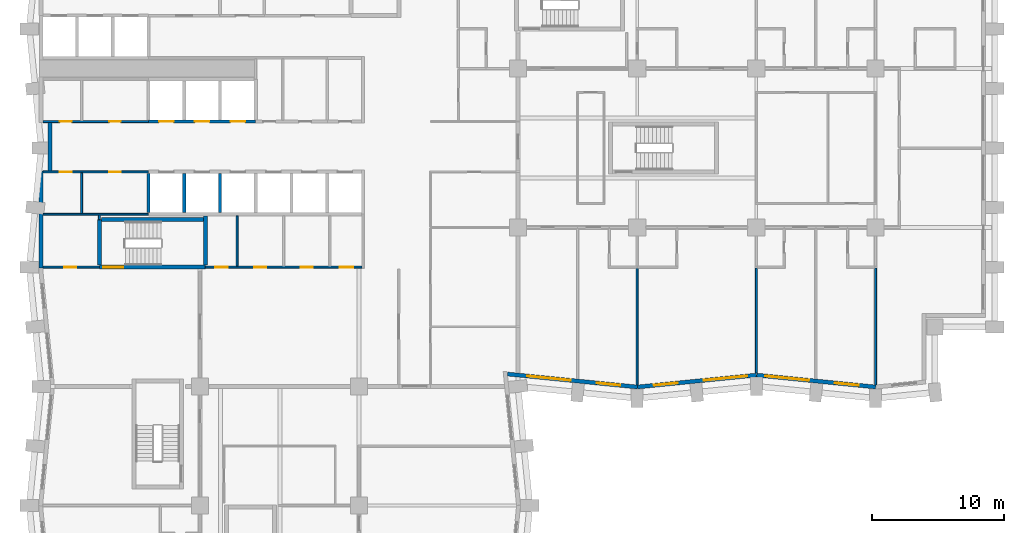
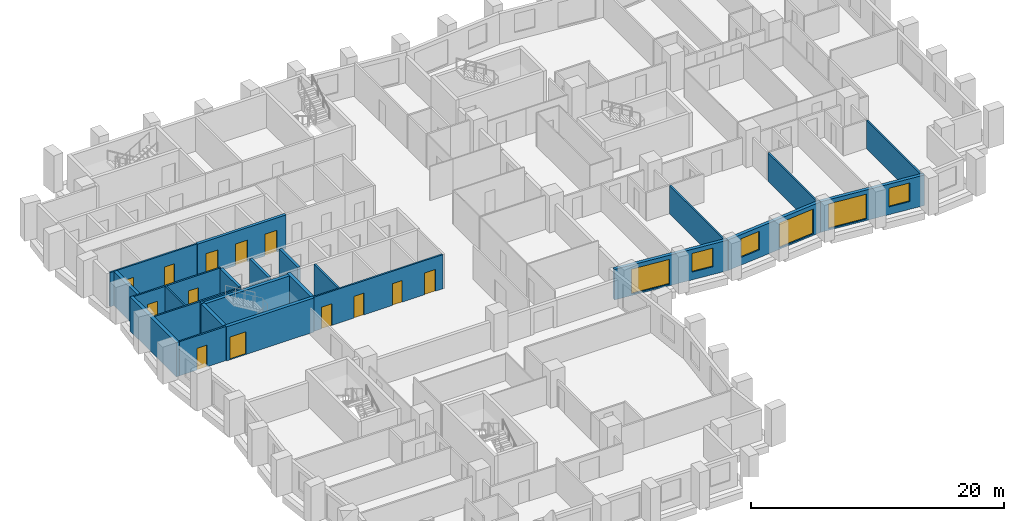
# One storey, part 5 of 13: 24 walls, 13 doors, 6 windows, 19 openings.
"""IFC4 building model written with IfcOpenShell, lengths in metres."""

from ifc_helpers import new_model, si_unit, direction, frame, frame_2d, origin, place, context, subcontext, project, spatial, rectangle, extrude, material, layer, layer_set, type_object, element, fill, save


model = new_model("IFC4")

# Units and contexts
model_context = context("Model", 3, precision=1e-05, world=origin(), true_north=direction((0.0, 1.0)))
body_context = subcontext(model_context, "Body", "Model", "MODEL_VIEW")
ifc_project = project(units=[si_unit("LENGTHUNIT", "METRE"), si_unit("AREAUNIT", "SQUARE_METRE"), si_unit("VOLUMEUNIT", "CUBIC_METRE"), si_unit("PLANEANGLEUNIT", "RADIAN"), si_unit("MASSUNIT", "GRAM", prefix="KILO")], contexts=[model_context])

# Site, building, storey
site_placement = place(None, origin())
site = spatial("IfcSite", under=ifc_project, at=site_placement, CompositionType="ELEMENT")
building_placement = place(site_placement, origin())
building = spatial("IfcBuilding", under=site, at=building_placement, Name="Brondeck Convention Tower", CompositionType="ELEMENT")
storey_placement = place(building_placement, frame((0.0, 0.0, 69.89990234375)))
storey = spatial("IfcBuildingStorey", under=building, at=storey_placement, Name="L15", CompositionType="ELEMENT", Elevation=69.89990234375)

# Wall, openings, doors
ifc_material_1 = material(Name="Concrete C80/95", Category="concrete")
ifc_layer_1 = layer(ifc_material_1, 0.14990234375)
ifc_layer_set_1 = layer_set([ifc_layer_1], Name="Core beam-seat wall 150 Concrete C80/95")
wall_type_1 = type_object("IfcWallType", Name="Core beam-seat wall 150 Concrete C80/95", PredefinedType="SHEAR", material=ifc_layer_set_1)
wall_1_placement = place(storey_placement, frame((12.39990234375, 36.0, 0.0), z_axis=(0.0, 0.0, 1.0), x_axis=(1.0, 0.0, 0.0)))
wall_1 = element("IfcWall", 1, at=wall_1_placement, inside=storey, type_object=wall_type_1, Name="L15 core wall", PredefinedType="SHEAR", context=body_context, shape_type="SweptSolid", body=[
    extrude(rectangle(XDim=11.8251953125, YDim=0.14990234375, at=frame_2d((5.91259765625, 0.0))), origin(), (0.0, 0.0, 1.0), 3.300048828125),
])
opening_1_placement = place(wall_1_placement, frame((0.72509765625, 0.0, 0.0)))
opening_1 = element("IfcOpeningElement", 2, at=opening_1_placement, cuts=wall_1, Name="Opening C11-03", PredefinedType="OPENING", context=body_context, shape_type="SweptSolid", body=[
    extrude(rectangle(XDim=0.949951171875, YDim=2.10009765625, at=frame_2d((0.47509765625, 1.050048828125))), frame((0.0, 0.0849609375, 0.0), z_axis=(0.0, -1.0, 0.0), x_axis=(1.0, 0.0, 0.0)), (0.0, 0.0, 1.0), 0.169921875),
])
opening_2_placement = place(wall_1_placement, frame((3.699951171875, 0.0, 0.0)))
opening_2 = element("IfcOpeningElement", 3, at=opening_2_placement, cuts=wall_1, Name="Opening C11-04", PredefinedType="OPENING", context=body_context, shape_type="SweptSolid", body=[
    extrude(rectangle(XDim=0.89990234375, YDim=2.10009765625, at=frame_2d((0.449951171875, 1.050048828125))), frame((0.0, 0.0849609375, 0.0), z_axis=(0.0, -1.0, 0.0), x_axis=(1.0, 0.0, 0.0)), (0.0, 0.0, 1.0), 0.169921875),
])
opening_3_placement = place(wall_1_placement, frame((7.199951171875, 0.0, 0.0)))
opening_3 = element("IfcOpeningElement", 4, at=opening_3_placement, cuts=wall_1, Name="Opening C11-05", PredefinedType="OPENING", context=body_context, shape_type="SweptSolid", body=[
    extrude(rectangle(XDim=0.89990234375, YDim=2.10009765625, at=frame_2d((0.449951171875, 1.050048828125))), frame((0.0, 0.0849609375, 0.0), z_axis=(0.0, -1.0, 0.0), x_axis=(1.0, 0.0, 0.0)), (0.0, 0.0, 1.0), 0.169921875),
])
opening_4_placement = place(wall_1_placement, frame((10.14990234375, 0.0, 0.0)))
opening_4 = element("IfcOpeningElement", 5, at=opening_4_placement, cuts=wall_1, Name="Opening C11-06", PredefinedType="OPENING", context=body_context, shape_type="SweptSolid", body=[
    extrude(rectangle(XDim=1.0, YDim=2.10009765625, at=frame_2d((0.5, 1.050048828125))), frame((0.0, 0.0849609375, 0.0), z_axis=(0.0, -1.0, 0.0), x_axis=(1.0, 0.0, 0.0)), (0.0, 0.0, 1.0), 0.169921875),
])
ifc_material_2 = material(Name="Steel fire door", Category="steel")
door_type_1 = type_object("IfcDoorType", Name="Room door 1000x2100 EI 60", OperationType="NOTDEFINED", PredefinedType="DOOR", material=ifc_material_2)
door_1_placement = place(opening_4_placement, origin())
door_1 = element("IfcDoor", 6, at=door_1_placement, inside=storey, type_object=door_type_1, Name="L15 Room door FR-4", OperationType="SINGLE_SWING_LEFT", OverallHeight=2.10009765625, OverallWidth=1.0, PredefinedType="DOOR", context=body_context, shape_type="SweptSolid", body=[
    extrude(rectangle(XDim=1.0, YDim=2.10009765625, at=frame_2d((0.5, 1.050048828125))), frame((0.0, 0.02490234375, 0.0), z_axis=(0.0, -1.0, 0.0), x_axis=(1.0, 0.0, 0.0)), (0.0, 0.0, 1.0), 0.050048828125),
])
fill(opening_4, door_1)
door_type_2 = type_object("IfcDoorType", Name="Room door 900x2100 EI 60", OperationType="NOTDEFINED", PredefinedType="DOOR", material=ifc_material_2)
door_2_placement = place(opening_2_placement, origin())
door_2 = element("IfcDoor", 7, at=door_2_placement, inside=storey, type_object=door_type_2, Name="L15 Room door FR-2", OperationType="SINGLE_SWING_LEFT", OverallHeight=2.10009765625, OverallWidth=0.89990234375, PredefinedType="DOOR", context=body_context, shape_type="SweptSolid", body=[
    extrude(rectangle(XDim=0.89990234375, YDim=2.10009765625, at=frame_2d((0.449951171875, 1.050048828125))), frame((0.0, 0.02490234375, 0.0), z_axis=(0.0, -1.0, 0.0), x_axis=(1.0, 0.0, 0.0)), (0.0, 0.0, 1.0), 0.050048828125),
])
fill(opening_2, door_2)
door_3_placement = place(opening_3_placement, origin())
door_3 = element("IfcDoor", 8, at=door_3_placement, inside=storey, type_object=door_type_2, Name="L15 Room door FR-3", OperationType="SINGLE_SWING_RIGHT", OverallHeight=2.10009765625, OverallWidth=0.89990234375, PredefinedType="DOOR", context=body_context, shape_type="SweptSolid", body=[
    extrude(rectangle(XDim=0.89990234375, YDim=2.10009765625, at=frame_2d((0.449951171875, 1.050048828125))), frame((0.0, 0.02490234375, 0.0), z_axis=(0.0, -1.0, 0.0), x_axis=(1.0, 0.0, 0.0)), (0.0, 0.0, 1.0), 0.050048828125),
])
fill(opening_3, door_3)
door_type_3 = type_object("IfcDoorType", Name="Room door 950x2100 EI 60", OperationType="NOTDEFINED", PredefinedType="DOOR", material=ifc_material_2)
door_4_placement = place(opening_1_placement, origin())
door_4 = element("IfcDoor", 9, at=door_4_placement, inside=storey, type_object=door_type_3, Name="L15 Room door FR-1", OperationType="SINGLE_SWING_RIGHT", OverallHeight=2.10009765625, OverallWidth=0.949951171875, PredefinedType="DOOR", context=body_context, shape_type="SweptSolid", body=[
    extrude(rectangle(XDim=0.949951171875, YDim=2.10009765625, at=frame_2d((0.47509765625, 1.050048828125))), frame((0.0, 0.02490234375, 0.0), z_axis=(0.0, -1.0, 0.0), x_axis=(1.0, 0.0, 0.0)), (0.0, 0.0, 1.0), 0.050048828125),
])
fill(opening_1, door_4)

# Walls
ifc_layer_2 = layer(ifc_material_1, 0.300048828125)
ifc_layer_set_2 = layer_set([ifc_layer_2], Name="Core outer wall 300 Concrete C80/95")
wall_type_2 = type_object("IfcWallType", Name="Core outer wall 300 Concrete C80/95", PredefinedType="SHEAR", material=ifc_layer_set_2)
wall_2_placement = place(storey_placement, frame((0.0, 35.925048828125, 0.0), z_axis=(0.0, 0.0, 1.0), x_axis=(0.0, 1.0, 0.0)))
element("IfcWall", 10, at=wall_2_placement, inside=storey, type_object=wall_type_2, Name="L15 core wall", PredefinedType="SHEAR", context=body_context, shape_type="SweptSolid", body=[
    extrude(rectangle(XDim=7.349853515625, YDim=0.300048828125, at=frame_2d((3.6748046875, 0.0))), origin(), (0.0, 0.0, 1.0), 3.300048828125),
])
wall_3_placement = place(storey_placement, frame((0.64990234375, 43.27490234375, 0.0), z_axis=(0.0, 0.0, 1.0), x_axis=(0.0, 1.0, 0.0)))
element("IfcWall", 11, at=wall_3_placement, inside=storey, type_object=wall_type_2, Name="L15 core wall", PredefinedType="SHEAR", context=body_context, shape_type="SweptSolid", body=[
    extrude(rectangle(XDim=3.650146484375, YDim=0.300048828125, at=frame_2d((1.8251953125, 0.0))), origin(), (0.0, 0.0, 1.0), 3.300048828125),
])

# Wall, opening, door
ifc_material_3 = material(Name="Fire-rated gypsum board partition")
ifc_layer_3 = layer(ifc_material_3, 0.14990234375)
ifc_layer_set_3 = layer_set([ifc_layer_3], Name="Core partition 150 EI 60")
wall_type_3 = type_object("IfcWallType", Name="Core partition 150 EI 60", PredefinedType="PARTITIONING", material=ifc_layer_set_3)
wall_4_placement = place(storey_placement, frame((0.14990234375, 36.0, 0.0), z_axis=(0.0, 0.0, 1.0), x_axis=(1.0, 0.0, 0.0)))
wall_4 = element("IfcWall", 12, at=wall_4_placement, inside=storey, type_object=wall_type_3, Name="L15 core wall", PredefinedType="PARTITIONING", context=body_context, shape_type="SweptSolid", body=[
    extrude(rectangle(XDim=4.25, YDim=0.14990234375, at=frame_2d((2.125, 0.0))), origin(), (0.0, 0.0, 1.0), 3.300048828125),
])
opening_5_placement = place(wall_4_placement, frame((1.60009765625, 0.0, 0.0)))
opening_5 = element("IfcOpeningElement", 13, at=opening_5_placement, cuts=wall_4, Name="Opening C11-07", PredefinedType="OPENING", context=body_context, shape_type="SweptSolid", body=[
    extrude(rectangle(XDim=0.89990234375, YDim=2.10009765625, at=frame_2d((0.449951171875, 1.050048828125))), frame((0.0, 0.0849609375, 0.0), z_axis=(0.0, -1.0, 0.0), x_axis=(1.0, 0.0, 0.0)), (0.0, 0.0, 1.0), 0.169921875),
])
door_5_placement = place(opening_5_placement, origin())
door_5 = element("IfcDoor", 14, at=door_5_placement, inside=storey, type_object=door_type_2, Name="L15 Room door FRW-1", OperationType="SINGLE_SWING_LEFT", OverallHeight=2.10009765625, OverallWidth=0.89990234375, PredefinedType="DOOR", context=body_context, shape_type="SweptSolid", body=[
    extrude(rectangle(XDim=0.89990234375, YDim=2.10009765625, at=frame_2d((0.449951171875, 1.050048828125))), frame((0.0, 0.02490234375, 0.0), z_axis=(0.0, -1.0, 0.0), x_axis=(1.0, 0.0, 0.0)), (0.0, 0.0, 1.0), 0.050048828125),
])
fill(opening_5, door_5)

# Wall
wall_5_placement = place(storey_placement, frame((0.14990234375, 40.0, 0.0), z_axis=(0.0, 0.0, 1.0), x_axis=(1.0, 0.0, 0.0)))
element("IfcWall", 15, at=wall_5_placement, inside=storey, type_object=wall_type_3, Name="L15 core wall", PredefinedType="PARTITIONING", context=body_context, shape_type="SweptSolid", body=[
    extrude(rectangle(XDim=7.9501953125, YDim=0.14990234375, at=frame_2d((3.97509765625, 0.0))), origin(), (0.0, 0.0, 1.0), 3.300048828125),
])

# Wall, openings, doors
wall_6_placement = place(storey_placement, frame((0.14990234375, 43.199951171875, 0.0), z_axis=(0.0, 0.0, 1.0), x_axis=(1.0, 0.0, 0.0)))
wall_6 = element("IfcWall", 16, at=wall_6_placement, inside=storey, type_object=wall_type_3, Name="L15 core wall", PredefinedType="PARTITIONING", context=body_context, shape_type="SweptSolid", body=[
    extrude(rectangle(XDim=7.9501953125, YDim=0.14990234375, at=frame_2d((3.97509765625, 0.0))), origin(), (0.0, 0.0, 1.0), 3.300048828125),
])
opening_6_placement = place(wall_6_placement, frame((1.25, 0.0, 0.0)))
opening_6 = element("IfcOpeningElement", 17, at=opening_6_placement, cuts=wall_6, Name="Opening C11-12", PredefinedType="OPENING", context=body_context, shape_type="SweptSolid", body=[
    extrude(rectangle(XDim=0.89990234375, YDim=2.10009765625, at=frame_2d((0.449951171875, 1.050048828125))), frame((0.0, 0.0849609375, 0.0), z_axis=(0.0, -1.0, 0.0), x_axis=(1.0, 0.0, 0.0)), (0.0, 0.0, 1.0), 0.169921875),
])
opening_7_placement = place(wall_6_placement, frame((4.97509765625, 0.0, 0.0)))
opening_7 = element("IfcOpeningElement", 18, at=opening_7_placement, cuts=wall_6, Name="Opening C11-13", PredefinedType="OPENING", context=body_context, shape_type="SweptSolid", body=[
    extrude(rectangle(XDim=0.89990234375, YDim=2.10009765625, at=frame_2d((0.449951171875, 1.050048828125))), frame((0.0, 0.0849609375, 0.0), z_axis=(0.0, -1.0, 0.0), x_axis=(1.0, 0.0, 0.0)), (0.0, 0.0, 1.0), 0.169921875),
])
door_6_placement = place(opening_6_placement, origin())
door_6 = element("IfcDoor", 19, at=door_6_placement, inside=storey, type_object=door_type_2, Name="L15 Room door FZ-S-0-1", OperationType="SINGLE_SWING_LEFT", OverallHeight=2.10009765625, OverallWidth=0.89990234375, PredefinedType="DOOR", context=body_context, shape_type="SweptSolid", body=[
    extrude(rectangle(XDim=0.89990234375, YDim=2.10009765625, at=frame_2d((0.449951171875, 1.050048828125))), frame((0.0, 0.02490234375, 0.0), z_axis=(0.0, -1.0, 0.0), x_axis=(1.0, 0.0, 0.0)), (0.0, 0.0, 1.0), 0.050048828125),
])
fill(opening_6, door_6)
door_7_placement = place(opening_7_placement, origin())
door_7 = element("IfcDoor", 20, at=door_7_placement, inside=storey, type_object=door_type_2, Name="L15 Room door FZ-S-0-2", OperationType="SINGLE_SWING_RIGHT", OverallHeight=2.10009765625, OverallWidth=0.89990234375, PredefinedType="DOOR", context=body_context, shape_type="SweptSolid", body=[
    extrude(rectangle(XDim=0.89990234375, YDim=2.10009765625, at=frame_2d((0.449951171875, 1.050048828125))), frame((0.0, 0.02490234375, 0.0), z_axis=(0.0, -1.0, 0.0), x_axis=(1.0, 0.0, 0.0)), (0.0, 0.0, 1.0), 0.050048828125),
])
fill(opening_7, door_7)

wall_7_placement = place(storey_placement, frame((0.14990234375, 47.0, 0.0), z_axis=(0.0, 0.0, 1.0), x_axis=(1.0, 0.0, 0.0)))
wall_7 = element("IfcWall", 21, at=wall_7_placement, inside=storey, type_object=wall_type_3, Name="L15 core wall", PredefinedType="PARTITIONING", context=body_context, shape_type="SweptSolid", body=[
    extrude(rectangle(XDim=7.9501953125, YDim=0.14990234375, at=frame_2d((3.97509765625, 0.0))), origin(), (0.0, 0.0, 1.0), 3.300048828125),
])
opening_8_placement = place(wall_7_placement, frame((1.25, 0.0, 0.0)))
opening_8 = element("IfcOpeningElement", 22, at=opening_8_placement, cuts=wall_7, Name="Opening C11-08", PredefinedType="OPENING", context=body_context, shape_type="SweptSolid", body=[
    extrude(rectangle(XDim=0.89990234375, YDim=2.10009765625, at=frame_2d((0.449951171875, 1.050048828125))), frame((0.0, 0.0849609375, 0.0), z_axis=(0.0, -1.0, 0.0), x_axis=(1.0, 0.0, 0.0)), (0.0, 0.0, 1.0), 0.169921875),
])
opening_9_placement = place(wall_7_placement, frame((4.97509765625, 0.0, 0.0)))
opening_9 = element("IfcOpeningElement", 23, at=opening_9_placement, cuts=wall_7, Name="Opening C11-09", PredefinedType="OPENING", context=body_context, shape_type="SweptSolid", body=[
    extrude(rectangle(XDim=0.89990234375, YDim=2.10009765625, at=frame_2d((0.449951171875, 1.050048828125))), frame((0.0, 0.0849609375, 0.0), z_axis=(0.0, -1.0, 0.0), x_axis=(1.0, 0.0, 0.0)), (0.0, 0.0, 1.0), 0.169921875),
])
door_8_placement = place(opening_8_placement, origin())
door_8 = element("IfcDoor", 24, at=door_8_placement, inside=storey, type_object=door_type_2, Name="L15 Room door FZ-N-0-1", OperationType="SINGLE_SWING_RIGHT", OverallHeight=2.10009765625, OverallWidth=0.89990234375, PredefinedType="DOOR", context=body_context, shape_type="SweptSolid", body=[
    extrude(rectangle(XDim=0.89990234375, YDim=2.10009765625, at=frame_2d((0.449951171875, 1.050048828125))), frame((0.0, 0.02490234375, 0.0), z_axis=(0.0, -1.0, 0.0), x_axis=(1.0, 0.0, 0.0)), (0.0, 0.0, 1.0), 0.050048828125),
])
fill(opening_8, door_8)
door_9_placement = place(opening_9_placement, origin())
door_9 = element("IfcDoor", 25, at=door_9_placement, inside=storey, type_object=door_type_2, Name="L15 Room door FZ-N-0-2", OperationType="SINGLE_SWING_LEFT", OverallHeight=2.10009765625, OverallWidth=0.89990234375, PredefinedType="DOOR", context=body_context, shape_type="SweptSolid", body=[
    extrude(rectangle(XDim=0.89990234375, YDim=2.10009765625, at=frame_2d((0.449951171875, 1.050048828125))), frame((0.0, 0.02490234375, 0.0), z_axis=(0.0, -1.0, 0.0), x_axis=(1.0, 0.0, 0.0)), (0.0, 0.0, 1.0), 0.050048828125),
])
fill(opening_9, door_9)

# Walls
wall_8_placement = place(storey_placement, frame((3.050048828125, 40.074951171875, 0.0), z_axis=(0.0, 0.0, 1.0), x_axis=(0.0, 1.0, 0.0)))
element("IfcWall", 26, at=wall_8_placement, inside=storey, type_object=wall_type_3, Name="L15 core wall", PredefinedType="PARTITIONING", context=body_context, shape_type="SweptSolid", body=[
    extrude(rectangle(XDim=3.050048828125, YDim=0.14990234375, at=frame_2d((1.52490234375, 0.0))), origin(), (0.0, 0.0, 1.0), 3.300048828125),
])
wall_9_placement = place(storey_placement, frame((4.39990234375, 39.60009765625, 0.0), z_axis=(0.0, 0.0, 1.0), x_axis=(0.0, 1.0, 0.0)))
element("IfcWall", 27, at=wall_9_placement, inside=storey, type_object=wall_type_3, Name="L15 core wall", PredefinedType="PARTITIONING", context=body_context, shape_type="SweptSolid", body=[
    extrude(rectangle(XDim=0.324951171875, YDim=0.14990234375, at=frame_2d((0.16259765625, 0.0))), origin(), (0.0, 0.0, 1.0), 3.300048828125),
])
wall_10_placement = place(storey_placement, frame((14.800048828125, 36.074951171875, 0.0), z_axis=(0.0, 0.0, 1.0), x_axis=(0.0, 1.0, 0.0)))
element("IfcWall", 28, at=wall_10_placement, inside=storey, type_object=wall_type_3, Name="L15 core wall", PredefinedType="PARTITIONING", context=body_context, shape_type="SweptSolid", body=[
    extrude(rectangle(XDim=3.800048828125, YDim=0.14990234375, at=frame_2d((1.89990234375, 0.0))), origin(), (0.0, 0.0, 1.0), 3.300048828125),
])

# Wall, openings, windows
ifc_material_4 = material(Name="Precast concrete C50/60 bronze finish", Category="concrete")
ifc_layer_4 = layer(ifc_material_4, 0.070068359375, Name="Bronze precast facing")
ifc_material_5 = material(Name="Mineral wool")
ifc_layer_5 = layer(ifc_material_5, 0.159912109375, Name="Insulation")
ifc_material_6 = material(Name="Concrete C35/45", Category="concrete")
ifc_layer_6 = layer(ifc_material_6, 0.070068359375, Name="Backing")
ifc_layer_set_4 = layer_set([ifc_layer_4, ifc_layer_5, ifc_layer_6], Name="External infill wall, precast concrete C50/60 bronze facing")
wall_type_4 = type_object("IfcWallType", Name="External infill wall, precast concrete C50/60 bronze facing", PredefinedType="SOLIDWALL", material=ifc_layer_set_4)
wall_11_placement = place(storey_placement, frame((45.014892578125, 26.95263671875, 0.0), z_axis=(0.0, 0.0, 1.0), x_axis=(-0.995036699177, 0.099508629231, 0.0)))
wall_11 = element("IfcWall", 29, at=wall_11_placement, inside=storey, type_object=wall_type_4, Name="ENV-EW-L15-P0-A-S-00", PredefinedType="SOLIDWALL", context=body_context, shape_type="SweptSolid", body=[
    extrude(rectangle(XDim=9.845703125, YDim=0.300048828125, at=frame_2d((4.9228515625, 0.0))), origin(), (0.0, 0.0, 1.0), 2.9501953125),
])
opening_10_placement = place(wall_11_placement, frame((1.291259765625, 0.0, 0.75)))
opening_10 = element("IfcOpeningElement", 30, at=opening_10_placement, cuts=wall_11, Name="Opening W10", PredefinedType="OPENING", context=body_context, shape_type="SweptSolid", body=[
    extrude(rectangle(XDim=1.800048828125, YDim=1.800048828125, at=frame_2d((0.89990234375, 0.89990234375))), frame((0.0, 0.159912109375, 0.0), z_axis=(0.0, -1.0, 0.0), x_axis=(1.0, 0.0, 0.0)), (0.0, 0.0, 1.0), 0.320068359375),
])
opening_11_placement = place(wall_11_placement, frame((5.063720703125, 0.0, 0.14990234375)))
opening_11 = element("IfcOpeningElement", 31, at=opening_11_placement, cuts=wall_11, Name="Opening W9", PredefinedType="OPENING", context=body_context, shape_type="SweptSolid", body=[
    extrude(rectangle(XDim=3.300048828125, YDim=2.39990234375, at=frame_2d((1.64990234375, 1.199951171875))), frame((0.0, 0.159912109375, 0.0), z_axis=(0.0, -1.0, 0.0), x_axis=(1.0, 0.0, 0.0)), (0.0, 0.0, 1.0), 0.320068359375),
])
ifc_material_7 = material(Name="Bronze tinted double glazing", Category="glass")
window_type_1 = type_object("IfcWindowType", Name="Glazed flute window, bronze tinted", PartitioningType="SINGLE_PANEL", PredefinedType="WINDOW", material=ifc_material_7)
window_1_placement = place(opening_11_placement, origin())
window_1 = element("IfcWindow", 32, at=window_1_placement, inside=storey, type_object=window_type_1, Name="ENV-WN-L15-P0-A-S-00", OverallHeight=2.39990234375, OverallWidth=3.300048828125, PartitioningType="SINGLE_PANEL", PredefinedType="WINDOW", context=body_context, shape_type="SweptSolid", body=[
    extrude(rectangle(XDim=3.300048828125, YDim=2.39990234375, at=frame_2d((1.64990234375, 1.199951171875))), frame((0.0, 0.030029296875, 0.0), z_axis=(0.0, -1.0, 0.0), x_axis=(1.0, 0.0, 0.0)), (0.0, 0.0, 1.0), 0.06005859375),
])
fill(opening_11, window_1)
window_type_2 = type_object("IfcWindowType", Name="Punched window, bronze tinted", PartitioningType="SINGLE_PANEL", PredefinedType="WINDOW", material=ifc_material_7)
window_2_placement = place(opening_10_placement, origin())
window_2 = element("IfcWindow", 33, at=window_2_placement, inside=storey, type_object=window_type_2, Name="ENV-WN-L15-P0-A-S-01", OverallHeight=1.800048828125, OverallWidth=1.800048828125, PartitioningType="SINGLE_PANEL", PredefinedType="WINDOW", context=body_context, shape_type="SweptSolid", body=[
    extrude(rectangle(XDim=1.800048828125, YDim=1.800048828125, at=frame_2d((0.89990234375, 0.89990234375))), frame((0.0, 0.030029296875, 0.0), z_axis=(0.0, -1.0, 0.0), x_axis=(1.0, 0.0, 0.0)), (0.0, 0.0, 1.0), 0.06005859375),
])
fill(opening_10, window_2)

wall_12_placement = place(storey_placement, frame((54.014892578125, 27.855712890625, 0.0), z_axis=(0.0, 0.0, 1.0), x_axis=(-0.995037993253, -0.099495688264, 0.0)))
wall_12 = element("IfcWall", 34, at=wall_12_placement, inside=storey, type_object=wall_type_4, Name="ENV-EW-L15-P0-A-S-02", PredefinedType="SOLIDWALL", context=body_context, shape_type="SweptSolid", body=[
    extrude(rectangle(XDim=9.030029296875, YDim=0.300048828125, at=frame_2d((4.51513671875, 0.0))), origin(), (0.0, 0.0, 1.0), 2.9501953125),
])
opening_12_placement = place(wall_12_placement, frame((0.711181640625, 0.0, 0.14990234375)))
opening_12 = element("IfcOpeningElement", 35, at=opening_12_placement, cuts=wall_12, Name="Opening W9", PredefinedType="OPENING", context=body_context, shape_type="SweptSolid", body=[
    extrude(rectangle(XDim=3.300048828125, YDim=2.39990234375, at=frame_2d((1.64990234375, 1.199951171875))), frame((0.0, 0.159912109375, 0.0), z_axis=(0.0, -1.0, 0.0), x_axis=(1.0, 0.0, 0.0)), (0.0, 0.0, 1.0), 0.320068359375),
])
opening_13_placement = place(wall_12_placement, frame((5.983642578125, 0.0, 0.75)))
opening_13 = element("IfcOpeningElement", 36, at=opening_13_placement, cuts=wall_12, Name="Opening W10", PredefinedType="OPENING", context=body_context, shape_type="SweptSolid", body=[
    extrude(rectangle(XDim=1.800048828125, YDim=1.800048828125, at=frame_2d((0.89990234375, 0.89990234375))), frame((0.0, 0.159912109375, 0.0), z_axis=(0.0, -1.0, 0.0), x_axis=(1.0, 0.0, 0.0)), (0.0, 0.0, 1.0), 0.320068359375),
])
window_3_placement = place(opening_12_placement, origin())
window_3 = element("IfcWindow", 37, at=window_3_placement, inside=storey, type_object=window_type_1, Name="ENV-WN-L15-P0-A-S-03", OverallHeight=2.39990234375, OverallWidth=3.300048828125, PartitioningType="SINGLE_PANEL", PredefinedType="WINDOW", context=body_context, shape_type="SweptSolid", body=[
    extrude(rectangle(XDim=3.300048828125, YDim=2.39990234375, at=frame_2d((1.64990234375, 1.199951171875))), frame((0.0, 0.030029296875, 0.0), z_axis=(0.0, -1.0, 0.0), x_axis=(1.0, 0.0, 0.0)), (0.0, 0.0, 1.0), 0.06005859375),
])
fill(opening_12, window_3)
window_4_placement = place(opening_13_placement, origin())
window_4 = element("IfcWindow", 38, at=window_4_placement, inside=storey, type_object=window_type_2, Name="ENV-WN-L15-P0-A-S-02", OverallHeight=1.800048828125, OverallWidth=1.800048828125, PartitioningType="SINGLE_PANEL", PredefinedType="WINDOW", context=body_context, shape_type="SweptSolid", body=[
    extrude(rectangle(XDim=1.800048828125, YDim=1.800048828125, at=frame_2d((0.89990234375, 0.89990234375))), frame((0.0, 0.030029296875, 0.0), z_axis=(0.0, -1.0, 0.0), x_axis=(1.0, 0.0, 0.0)), (0.0, 0.0, 1.0), 0.06005859375),
])
fill(opening_13, window_4)

wall_13_placement = place(storey_placement, frame((63.014892578125, 26.95263671875, 0.0), z_axis=(0.0, 0.0, 1.0), x_axis=(-0.995035316196, 0.099522457379, 0.0)))
wall_13 = element("IfcWall", 39, at=wall_13_placement, inside=storey, type_object=wall_type_4, Name="ENV-EW-L15-P0-A-S-04", PredefinedType="SOLIDWALL", context=body_context, shape_type="SweptSolid", body=[
    extrude(rectangle(XDim=9.030029296875, YDim=0.300048828125, at=frame_2d((4.51513671875, 0.0))), origin(), (0.0, 0.0, 1.0), 2.9501953125),
])
opening_14_placement = place(wall_13_placement, frame((1.291259765625, 0.0, 0.75)))
opening_14 = element("IfcOpeningElement", 40, at=opening_14_placement, cuts=wall_13, Name="Opening W10", PredefinedType="OPENING", context=body_context, shape_type="SweptSolid", body=[
    extrude(rectangle(XDim=1.800048828125, YDim=1.800048828125, at=frame_2d((0.89990234375, 0.89990234375))), frame((0.0, 0.159912109375, 0.0), z_axis=(0.0, -1.0, 0.0), x_axis=(1.0, 0.0, 0.0)), (0.0, 0.0, 1.0), 0.320068359375),
])
opening_15_placement = place(wall_13_placement, frame((5.063720703125, 0.0, 0.14990234375)))
opening_15 = element("IfcOpeningElement", 41, at=opening_15_placement, cuts=wall_13, Name="Opening W9", PredefinedType="OPENING", context=body_context, shape_type="SweptSolid", body=[
    extrude(rectangle(XDim=3.300048828125, YDim=2.39990234375, at=frame_2d((1.64990234375, 1.199951171875))), frame((0.0, 0.159912109375, 0.0), z_axis=(0.0, -1.0, 0.0), x_axis=(1.0, 0.0, 0.0)), (0.0, 0.0, 1.0), 0.320068359375),
])
window_5_placement = place(opening_15_placement, origin())
window_5 = element("IfcWindow", 42, at=window_5_placement, inside=storey, type_object=window_type_1, Name="ENV-WN-L15-P0-A-S-04", OverallHeight=2.39990234375, OverallWidth=3.300048828125, PartitioningType="SINGLE_PANEL", PredefinedType="WINDOW", context=body_context, shape_type="SweptSolid", body=[
    extrude(rectangle(XDim=3.300048828125, YDim=2.39990234375, at=frame_2d((1.64990234375, 1.199951171875))), frame((0.0, 0.030029296875, 0.0), z_axis=(0.0, -1.0, 0.0), x_axis=(1.0, 0.0, 0.0)), (0.0, 0.0, 1.0), 0.06005859375),
])
fill(opening_15, window_5)
window_6_placement = place(opening_14_placement, origin())
window_6 = element("IfcWindow", 43, at=window_6_placement, inside=storey, type_object=window_type_2, Name="ENV-WN-L15-P0-A-S-05", OverallHeight=1.800048828125, OverallWidth=1.800048828125, PartitioningType="SINGLE_PANEL", PredefinedType="WINDOW", context=body_context, shape_type="SweptSolid", body=[
    extrude(rectangle(XDim=1.800048828125, YDim=1.800048828125, at=frame_2d((0.89990234375, 0.89990234375))), frame((0.0, 0.030029296875, 0.0), z_axis=(0.0, -1.0, 0.0), x_axis=(1.0, 0.0, 0.0)), (0.0, 0.0, 1.0), 0.06005859375),
])
fill(opening_14, window_6)

# Walls
ifc_material_8 = material(Name="Double gypsum board acoustic wall")
ifc_layer_7 = layer(ifc_material_8, 0.14990234375)
ifc_layer_set_5 = layer_set([ifc_layer_7], Name="Guest room party wall 150")
wall_type_5 = type_object("IfcWallType", Name="Guest room party wall 150", PredefinedType="PARTITIONING", material=ifc_layer_set_5)
wall_14_placement = place(storey_placement, frame((45.0, 35.925048828125, 0.0), z_axis=(0.0, 0.0, 1.0), x_axis=(0.0, -1.0, 0.0)))
element("IfcWall", 44, at=wall_14_placement, inside=storey, type_object=wall_type_5, Name="FLR-L15-W044", PredefinedType="PARTITIONING", context=body_context, shape_type="SweptSolid", body=[
    extrude(rectangle(XDim=8.800048828125, YDim=0.14990234375, at=frame_2d((4.39990234375, 0.0))), origin(), (0.0, 0.0, 1.0), 2.72998046875),
])
wall_15_placement = place(storey_placement, frame((54.0, 35.925048828125, 0.0), z_axis=(0.0, 0.0, 1.0), x_axis=(0.0, -1.0, 0.0)))
element("IfcWall", 45, at=wall_15_placement, inside=storey, type_object=wall_type_5, Name="FLR-L15-W045", PredefinedType="PARTITIONING", context=body_context, shape_type="SweptSolid", body=[
    extrude(rectangle(XDim=7.900146484375, YDim=0.14990234375, at=frame_2d((3.9501953125, 0.0))), origin(), (0.0, 0.0, 1.0), 2.72998046875),
])
wall_16_placement = place(storey_placement, frame((63.0, 35.925048828125, 0.0), z_axis=(0.0, 0.0, 1.0), x_axis=(0.0, -1.0, 0.0)))
element("IfcWall", 46, at=wall_16_placement, inside=storey, type_object=wall_type_5, Name="FLR-L15-W046", PredefinedType="PARTITIONING", context=body_context, shape_type="SweptSolid", body=[
    extrude(rectangle(XDim=8.800048828125, YDim=0.14990234375, at=frame_2d((4.39990234375, 0.0))), origin(), (0.0, 0.0, 1.0), 2.72998046875),
])

# Wall, openings, doors
ifc_layer_8 = layer(ifc_material_1, 0.25)
ifc_layer_set_6 = layer_set([ifc_layer_8], Name="Lift shaft wall 250 Concrete C80/95")
wall_type_6 = type_object("IfcWallType", Name="Lift shaft wall 250 Concrete C80/95", PredefinedType="SHEAR", material=ifc_layer_set_6)
wall_17_placement = place(storey_placement, frame((8.10009765625, 47.0, 0.0), z_axis=(0.0, 0.0, 1.0), x_axis=(1.0, 0.0, 0.0)))
wall_17 = element("IfcWall", 47, at=wall_17_placement, inside=storey, type_object=wall_type_6, Name="L15 core wall", PredefinedType="SHEAR", context=body_context, shape_type="SweptSolid", body=[
    extrude(rectangle(XDim=8.099853515625, YDim=0.25, at=frame_2d((4.0498046875, 0.0))), origin(), (0.0, 0.0, 1.0), 3.300048828125),
])
opening_16_placement = place(wall_17_placement, frame((0.800048828125, 0.0, 0.0)))
opening_16 = element("IfcOpeningElement", 48, at=opening_16_placement, cuts=wall_17, Name="Opening C11-30", PredefinedType="OPENING", context=body_context, shape_type="SweptSolid", body=[
    extrude(rectangle(XDim=1.10009765625, YDim=2.10009765625, at=frame_2d((0.550048828125, 1.050048828125))), frame((0.0, 0.135009765625, 0.0), z_axis=(0.0, -1.0, 0.0), x_axis=(1.0, 0.0, 0.0)), (0.0, 0.0, 1.0), 0.27001953125),
])
opening_17_placement = place(wall_17_placement, frame((3.5, 0.0, 0.0)))
opening_17 = element("IfcOpeningElement", 49, at=opening_17_placement, cuts=wall_17, Name="Opening C11-31", PredefinedType="OPENING", context=body_context, shape_type="SweptSolid", body=[
    extrude(rectangle(XDim=1.10009765625, YDim=2.10009765625, at=frame_2d((0.550048828125, 1.050048828125))), frame((0.0, 0.135009765625, 0.0), z_axis=(0.0, -1.0, 0.0), x_axis=(1.0, 0.0, 0.0)), (0.0, 0.0, 1.0), 0.27001953125),
])
opening_18_placement = place(wall_17_placement, frame((6.199951171875, 0.0, 0.0)))
opening_18 = element("IfcOpeningElement", 50, at=opening_18_placement, cuts=wall_17, Name="Opening C11-32", PredefinedType="OPENING", context=body_context, shape_type="SweptSolid", body=[
    extrude(rectangle(XDim=1.10009765625, YDim=2.10009765625, at=frame_2d((0.550048828125, 1.050048828125))), frame((0.0, 0.135009765625, 0.0), z_axis=(0.0, -1.0, 0.0), x_axis=(1.0, 0.0, 0.0)), (0.0, 0.0, 1.0), 0.27001953125),
])
ifc_material_9 = material(Name="Stainless steel lift door", Category="steel")
door_type_4 = type_object("IfcDoorType", Name="Lift landing door 1100x2100 EI 180", OperationType="DOUBLE_DOOR_SLIDING", PredefinedType="DOOR", material=ifc_material_9)
door_10_placement = place(opening_16_placement, origin())
door_10 = element("IfcDoor", 51, at=door_10_placement, inside=storey, type_object=door_type_4, Name="L15 Lift landing door LR4", OperationType="DOUBLE_DOOR_SLIDING", OverallHeight=2.10009765625, OverallWidth=1.10009765625, PredefinedType="DOOR", context=body_context, shape_type="SweptSolid", body=[
    extrude(rectangle(XDim=1.10009765625, YDim=2.10009765625, at=frame_2d((0.550048828125, 1.050048828125))), frame((0.0, 0.02490234375, 0.0), z_axis=(0.0, -1.0, 0.0), x_axis=(1.0, 0.0, 0.0)), (0.0, 0.0, 1.0), 0.050048828125),
])
fill(opening_16, door_10)
door_11_placement = place(opening_17_placement, origin())
door_11 = element("IfcDoor", 52, at=door_11_placement, inside=storey, type_object=door_type_4, Name="L15 Lift landing door LR5", OperationType="DOUBLE_DOOR_SLIDING", OverallHeight=2.10009765625, OverallWidth=1.10009765625, PredefinedType="DOOR", context=body_context, shape_type="SweptSolid", body=[
    extrude(rectangle(XDim=1.10009765625, YDim=2.10009765625, at=frame_2d((0.550048828125, 1.050048828125))), frame((0.0, 0.02490234375, 0.0), z_axis=(0.0, -1.0, 0.0), x_axis=(1.0, 0.0, 0.0)), (0.0, 0.0, 1.0), 0.050048828125),
])
fill(opening_17, door_11)
door_12_placement = place(opening_18_placement, origin())
door_12 = element("IfcDoor", 53, at=door_12_placement, inside=storey, type_object=door_type_4, Name="L15 Lift landing door LR6", OperationType="DOUBLE_DOOR_SLIDING", OverallHeight=2.10009765625, OverallWidth=1.10009765625, PredefinedType="DOOR", context=body_context, shape_type="SweptSolid", body=[
    extrude(rectangle(XDim=1.10009765625, YDim=2.10009765625, at=frame_2d((0.550048828125, 1.050048828125))), frame((0.0, 0.02490234375, 0.0), z_axis=(0.0, -1.0, 0.0), x_axis=(1.0, 0.0, 0.0)), (0.0, 0.0, 1.0), 0.050048828125),
])
fill(opening_18, door_12)

# Walls
for number, where, z_axis, x_axis, name in (
    (54, (8.10009765625, 40.125, 0.0), (0.0, 0.0, 1.0), (0.0, 1.0, 0.0), "L15 core wall"),
    (55, (10.800048828125, 40.125, 0.0), (0.0, 0.0, 1.0), (0.0, 1.0, 0.0), "L15 core wall"),
    (56, (13.5, 40.125, 0.0), (0.0, 0.0, 1.0), (0.0, 1.0, 0.0), "L15 core wall"),
):
    element("IfcWall", number, at=place(storey_placement, frame(where, z_axis=z_axis, x_axis=x_axis)), inside=storey, type_object=wall_type_6, Name=name, PredefinedType="SHEAR", context=body_context, shape_type="SweptSolid", body=[
        extrude(rectangle(XDim=2.949951171875, YDim=0.25, at=frame_2d((1.47509765625, 0.0))), origin(), (0.0, 0.0, 1.0), 3.300048828125),
    ])

# Wall, opening, door
ifc_layer_9 = layer(ifc_material_1, 0.300048828125)
ifc_layer_set_7 = layer_set([ifc_layer_9], Name="Stair enclosure wall 300 Concrete C80/95")
wall_type_7 = type_object("IfcWallType", Name="Stair enclosure wall 300 Concrete C80/95", PredefinedType="SHEAR", material=ifc_layer_set_7)
wall_18_placement = place(storey_placement, frame((4.39990234375, 36.0, 0.0), z_axis=(0.0, 0.0, 1.0), x_axis=(1.0, 0.0, 0.0)))
wall_18 = element("IfcWall", 57, at=wall_18_placement, inside=storey, type_object=wall_type_7, Name="L15 core wall", PredefinedType="SHEAR", context=body_context, shape_type="SweptSolid", body=[
    extrude(rectangle(XDim=8.0, YDim=0.300048828125, at=frame_2d((4.0, 0.0))), origin(), (0.0, 0.0, 1.0), 3.300048828125),
])
opening_19_placement = place(wall_18_placement, frame((0.300048828125, 0.0, 0.0)))
opening_19 = element("IfcOpeningElement", 58, at=opening_19_placement, cuts=wall_18, Name="Opening C11-16", PredefinedType="OPENING", context=body_context, shape_type="SweptSolid", body=[
    extrude(rectangle(XDim=1.5, YDim=2.199951171875, at=frame_2d((0.75, 1.10009765625))), frame((0.0, 0.159912109375, 0.0), z_axis=(0.0, -1.0, 0.0), x_axis=(1.0, 0.0, 0.0)), (0.0, 0.0, 1.0), 0.320068359375),
])
door_type_5 = type_object("IfcDoorType", Name="Stair door 1500x2200 EI 90", OperationType="NOTDEFINED", PredefinedType="DOOR", material=ifc_material_2)
door_13_placement = place(opening_19_placement, origin())
door_13 = element("IfcDoor", 59, at=door_13_placement, inside=storey, type_object=door_type_5, Name="L15 Stair door ST-1", OperationType="SINGLE_SWING_RIGHT", OverallHeight=2.199951171875, OverallWidth=1.5, PredefinedType="DOOR", context=body_context, shape_type="SweptSolid", body=[
    extrude(rectangle(XDim=1.5, YDim=2.199951171875, at=frame_2d((0.75, 1.10009765625))), frame((0.0, 0.02490234375, 0.0), z_axis=(0.0, -1.0, 0.0), x_axis=(1.0, 0.0, 0.0)), (0.0, 0.0, 1.0), 0.050048828125),
])
fill(opening_19, door_13)

# Walls
wall_19_placement = place(storey_placement, frame((4.550048828125, 39.60009765625, 0.0), z_axis=(0.0, 0.0, 1.0), x_axis=(1.0, 0.0, 0.0)))
element("IfcWall", 60, at=wall_19_placement, inside=storey, type_object=wall_type_7, Name="L15 core wall", PredefinedType="SHEAR", context=body_context, shape_type="SweptSolid", body=[
    extrude(rectangle(XDim=7.699951171875, YDim=0.300048828125, at=frame_2d((3.85009765625, 0.0))), origin(), (0.0, 0.0, 1.0), 3.300048828125),
])
wall_20_placement = place(storey_placement, frame((4.39990234375, 36.14990234375, 0.0), z_axis=(0.0, 0.0, 1.0), x_axis=(0.0, 1.0, 0.0)))
element("IfcWall", 61, at=wall_20_placement, inside=storey, type_object=wall_type_7, Name="L15 core wall", PredefinedType="SHEAR", context=body_context, shape_type="SweptSolid", body=[
    extrude(rectangle(XDim=3.4501953125, YDim=0.300048828125, at=frame_2d((1.72509765625, 0.0))), origin(), (0.0, 0.0, 1.0), 3.300048828125),
])
wall_21_placement = place(storey_placement, frame((12.39990234375, 36.14990234375, 0.0), z_axis=(0.0, 0.0, 1.0), x_axis=(0.0, 1.0, 0.0)))
element("IfcWall", 62, at=wall_21_placement, inside=storey, type_object=wall_type_7, Name="L15 core wall", PredefinedType="SHEAR", context=body_context, shape_type="SweptSolid", body=[
    extrude(rectangle(XDim=3.72509765625, YDim=0.300048828125, at=frame_2d((1.862548828125, 0.0))), origin(), (0.0, 0.0, 1.0), 3.300048828125),
])

save(model, "model.ifc")
